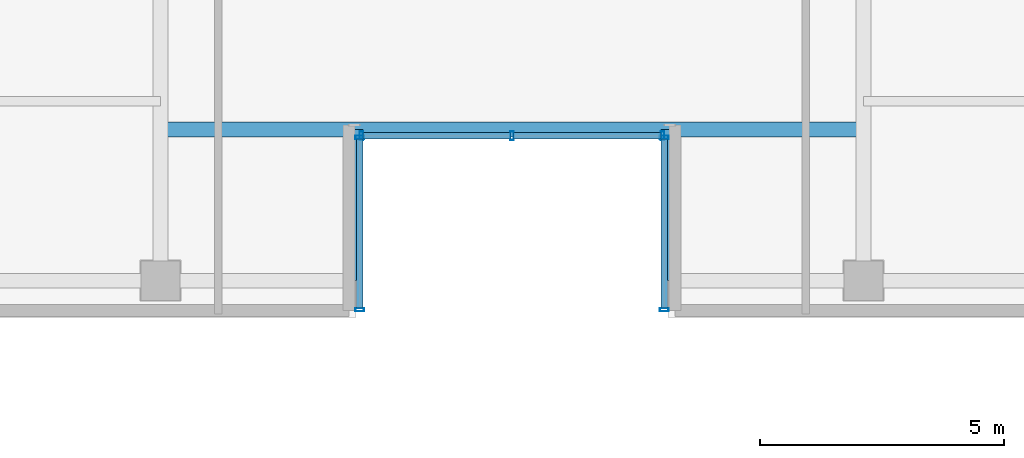
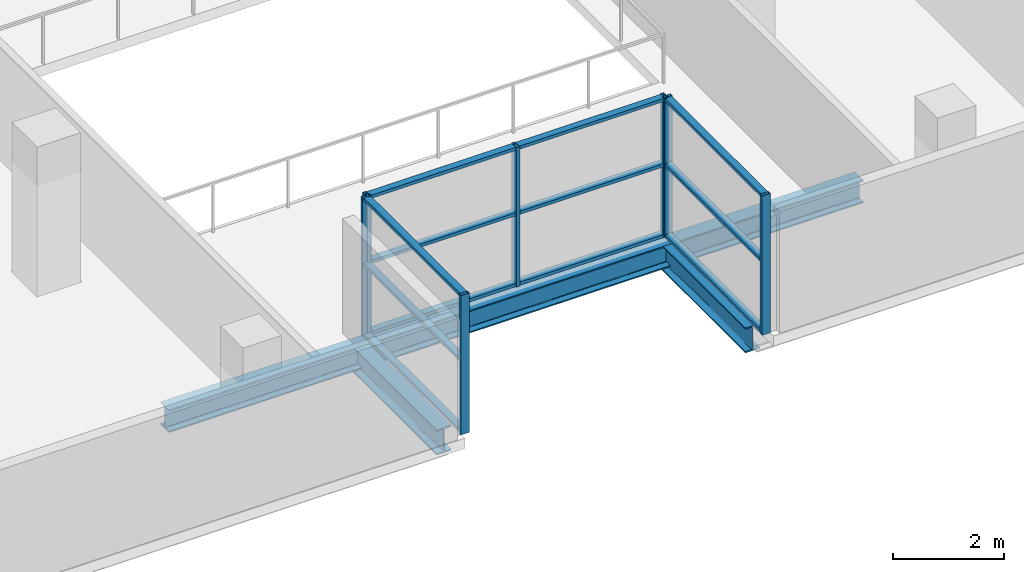
# One storey, part 3 of 23: 19 members, 3 beams, 3 elements without a shape of their own.
"""IFC4 building model written with IfcOpenShell, lengths in metres."""

import ifcopenshell
import ifcopenshell.guid

model = None  # the IFC model being written
_history = None  # IfcOwnerHistory: only IFC2X3 demands one
_inside = {}  # id of a spatial element -> (the spatial element, [elements in it])
_under = {}  # id of a project, library or spatial element -> (it, [spatial elements below it])
_declared = {}  # id of a project -> (the project, [libraries it declares])
_typed = {}  # id of a type object -> (the type object, [elements of that type])
_made_of = {}  # id of a material, layer set ... -> (it, [elements and type objects made of it])


def new_model(schema):
    """Start an empty IFC model of exactly this schema.

    Asked for "IFC4X3", IfcOpenShell would pick the latest addendum, in which some entities
    have other attributes; the version numbers below select the first issue.
    IFC2X3 requires an IfcOwnerHistory on every rooted entity: one is made here for all.
    """
    global model, _history
    if schema == "IFC4X3":
        model = ifcopenshell.file(schema_version=(4, 3, 0, 0))
    else:
        model = ifcopenshell.file(schema=schema)
    _inside.clear()
    _under.clear()
    _declared.clear()
    _typed.clear()
    _made_of.clear()
    _history = None
    if model.schema == "IFC2X3":
        org = make("IfcOrganization", Name="unknown")
        user = make(
            "IfcPersonAndOrganization",
            ThePerson=make("IfcPerson", FamilyName="unknown"),
            TheOrganization=org,
        )
        app = make(
            "IfcApplication",
            ApplicationDeveloper=org,
            Version="unknown",
            ApplicationFullName="unknown",
            ApplicationIdentifier="unknown",
        )
        _history = make(
            "IfcOwnerHistory",
            OwningUser=user,
            OwningApplication=app,
            ChangeAction="ADDED",
            CreationDate=0,
        )
    return model


def make(cls, **values):
    """One entity of the class cls with the attributes given. An attribute that is None is left unset."""
    return model.create_entity(
        cls, **{name: value for name, value in values.items() if value is not None}
    )


def rooted(cls, **values):
    """An entity with a GlobalId (a new one), such as an element, a storey or a relation."""
    return make(cls, GlobalId=ifcopenshell.guid.new(), OwnerHistory=_history, **values)


def si_unit(unit_type, name, prefix=None):
    """IfcSIUnit, for example si_unit("LENGTHUNIT", "METRE", prefix="MILLI")."""
    return make("IfcSIUnit", UnitType=unit_type, Prefix=prefix, Name=name)


def assignment(units):
    """IfcUnitAssignment: the units of a project."""
    return None if units is None else make("IfcUnitAssignment", Units=units)


def point(xyz):
    """IfcCartesianPoint."""
    return None if xyz is None else make("IfcCartesianPoint", Coordinates=xyz)


def direction(xyz):
    """IfcDirection."""
    return None if xyz is None else make("IfcDirection", DirectionRatios=xyz)


def frame(location, z_axis=None, x_axis=None):
    """IfcAxis2Placement3D, a coordinate frame: its origin and axes. An axis left out is left unset."""
    return make(
        "IfcAxis2Placement3D",
        Location=point(location),
        Axis=direction(z_axis),
        RefDirection=direction(x_axis),
    )


def frame_2d(location, x_axis=None):
    """IfcAxis2Placement2D, a coordinate frame in the plane: its origin and x axis."""
    return make(
        "IfcAxis2Placement2D", Location=point(location), RefDirection=direction(x_axis)
    )


def origin():
    """The frame at (0, 0, 0) with its axes left unset."""
    return frame((0.0, 0.0, 0.0))


def origin_2d():
    """The frame at (0, 0) in the plane with its x axis left unset."""
    return frame_2d((0.0, 0.0))


def place(relative_to, where):
    """IfcLocalPlacement: puts the frame where relative to a parent placement (None: the world)."""
    return make(
        "IfcLocalPlacement", PlacementRelTo=relative_to, RelativePlacement=where
    )


def context(
    kind, dimensions, precision=None, world=None, true_north=None, identifier=None
):
    """IfcGeometricRepresentationContext, for example the 3D "Model" context."""
    return make(
        "IfcGeometricRepresentationContext",
        ContextIdentifier=identifier,
        ContextType=kind,
        CoordinateSpaceDimension=dimensions,
        Precision=precision,
        WorldCoordinateSystem=world,
        TrueNorth=true_north,
    )


def subcontext(parent, identifier, kind, view, scale=None):
    """IfcGeometricRepresentationSubContext, for example "Body" below "Model"."""
    return make(
        "IfcGeometricRepresentationSubContext",
        ContextIdentifier=identifier,
        ContextType=kind,
        ParentContext=parent,
        TargetScale=scale,
        TargetView=view,
    )


def project(units=None, contexts=None):
    """IfcProject with its units and contexts."""
    return rooted(
        "IfcProject",
        Name="project",
        RepresentationContexts=contexts,
        UnitsInContext=assignment(units),
    )


def spatial(cls, under=None, at=None, **own):
    """A site, building, storey or space (cls), placed at a placement, below another one or the project."""
    s = rooted(cls, ObjectPlacement=at, **own)
    if under is not None:
        _under.setdefault(under.id(), (under, []))[1].append(s)
    return s


def profile(cls, at=None, kind="AREA", **sizes):
    """A parametric profile (cls). Its sizes go by their IFC names, for example OverallWidth=200.0."""
    return make(cls, ProfileType=kind, Position=at, **sizes)


def hollow_rectangle(**sizes):
    """IfcRectangleHollowProfileDef."""
    return profile("IfcRectangleHollowProfileDef", **sizes)


def i_section(**sizes):
    """IfcIShapeProfileDef."""
    return profile("IfcIShapeProfileDef", **sizes)


def extrude(swept, where, along, depth):
    """IfcExtrudedAreaSolid: the profile swept, set in the frame where, extruded along a direction by depth."""
    return make(
        "IfcExtrudedAreaSolid",
        SweptArea=swept,
        Position=where,
        ExtrudedDirection=direction(along),
        Depth=depth,
    )


def shape(context_of_items, identifier, shape_type, items):
    """IfcShapeRepresentation: the items that make up one representation, for example the "Body"."""
    return make(
        "IfcShapeRepresentation",
        ContextOfItems=context_of_items,
        RepresentationIdentifier=identifier,
        RepresentationType=shape_type,
        Items=items,
    )


def source(mapping_origin, context_of_items, identifier, shape_type, items):
    """IfcRepresentationMap: a shape defined once, which mapped items show again and again."""
    return make(
        "IfcRepresentationMap",
        MappingOrigin=mapping_origin,
        MappedRepresentation=shape(context_of_items, identifier, shape_type, items),
    )


def transform(
    local_origin,
    x_axis=None,
    y_axis=None,
    z_axis=None,
    scale=None,
    scale2=None,
    scale3=None,
    uniform=True,
):
    """IfcCartesianTransformationOperator3D, or its non-uniform kind. x_axis, y_axis, z_axis: its Axis1, 2, 3."""
    if uniform:
        return make(
            "IfcCartesianTransformationOperator3D",
            Axis1=direction(x_axis),
            Axis2=direction(y_axis),
            LocalOrigin=point(local_origin),
            Scale=scale,
            Axis3=direction(z_axis),
        )
    return make(
        "IfcCartesianTransformationOperator3DnonUniform",
        Axis1=direction(x_axis),
        Axis2=direction(y_axis),
        LocalOrigin=point(local_origin),
        Scale=scale,
        Axis3=direction(z_axis),
        Scale2=scale2,
        Scale3=scale3,
    )


def mapped(mapping_source, mapping_target):
    """IfcMappedItem: shows the shape of a source again, moved by a transform."""
    return make(
        "IfcMappedItem", MappingSource=mapping_source, MappingTarget=mapping_target
    )


def material(Name=None, Category=None):
    """IfcMaterial."""
    return make("IfcMaterial", Name=Name, Category=Category)


def layer(
    of_material, thickness, ventilated=None, Name=None, Category=None, Priority=None
):
    """IfcMaterialLayer: one layer of a wall or slab, of a material (None: an air gap)."""
    return make(
        "IfcMaterialLayer",
        Material=of_material,
        LayerThickness=thickness,
        IsVentilated=ventilated,
        Name=Name,
        Category=Category,
        Priority=Priority,
    )


def layer_set(layers, Name=None):
    """IfcMaterialLayerSet."""
    return make("IfcMaterialLayerSet", MaterialLayers=layers, LayerSetName=Name)


def material_profile(
    of_material, cross_section, Name=None, Category=None, Priority=None
):
    """IfcMaterialProfile: a cross section and its material."""
    return make(
        "IfcMaterialProfile",
        Name=Name,
        Material=of_material,
        Profile=cross_section,
        Priority=Priority,
        Category=Category,
    )


def profile_set(profiles, Name=None, composite=None):
    """IfcMaterialProfileSet."""
    return make(
        "IfcMaterialProfileSet",
        Name=Name,
        MaterialProfiles=profiles,
        CompositeProfile=composite,
    )


def made_of(thing, what):
    """Note that an element or type object is made of a material, layer set ...; save() writes the relation."""
    if what is not None:
        _made_of.setdefault(what.id(), (what, []))[1].append(thing)
    return thing


def type_object(cls, material=None, **own):
    """A type object (cls), such as IfcWallType, which elements share."""
    return made_of(rooted(cls, **own), material)


def element(
    cls,
    number,
    at=None,
    inside=None,
    cuts=None,
    type_object=None,
    material=None,
    context=None,
    identifier="Body",
    shape_type=None,
    held_by="IfcProductDefinitionShape",
    body=None,
    shapes=None,
    **own,
):
    """One element of the class cls, such as IfcWall. Its Tag is "e" and its number.

    at: its placement. inside: the storey or other place that contains it. cuts: it is an
    opening in that element (IfcRelVoidsElement). A single representation is given by context,
    identifier, shape_type and body (its items); several are given by shapes. held_by: the class
    of the entity that holds the representations. save() writes the other relations.
    """
    e = rooted(cls, Tag="e%d" % number, ObjectPlacement=at, **own)
    if body is not None:
        shapes = [shape(context, identifier, shape_type, body)]
    if shapes is not None:
        e.Representation = make(held_by, Representations=shapes)
    if inside is not None:
        _inside.setdefault(inside.id(), (inside, []))[1].append(e)
    if cuts is not None:
        rooted(
            "IfcRelVoidsElement", RelatingBuildingElement=cuts, RelatedOpeningElement=e
        )
    if type_object is not None:
        _typed.setdefault(type_object.id(), (type_object, []))[1].append(e)
    return made_of(e, material)


def aggregate(whole, parts):
    """IfcRelAggregates: a whole, such as a stair, and the parts it consists of."""
    return rooted("IfcRelAggregates", RelatingObject=whole, RelatedObjects=parts)


def save(model, path):
    """Write the relations noted so far, then the file.

    IfcRelAggregates (storeys below a building ...), IfcRelContainedInSpatialStructure (elements
    in a storey), IfcRelDefinesByType, IfcRelAssociatesMaterial and IfcRelDeclares: one each for
    every whole, place, type object, material and project.
    """
    for whole, parts in _under.values():
        aggregate(whole, parts)
    for where, things in _inside.values():
        rooted(
            "IfcRelContainedInSpatialStructure",
            RelatedElements=things,
            RelatingStructure=where,
        )
    for kind, things in _typed.values():
        rooted("IfcRelDefinesByType", RelatedObjects=things, RelatingType=kind)
    for what, things in _made_of.values():
        rooted("IfcRelAssociatesMaterial", RelatedObjects=things, RelatingMaterial=what)
    for by, libraries in _declared.values():
        rooted("IfcRelDeclares", RelatingContext=by, RelatedDefinitions=libraries)
    model.write(path)


model = new_model("IFC4")

# Units and contexts
model_context = context("Model", 3, precision=1e-05, world=origin(), true_north=direction((0.0, 1.0)))
body_context = subcontext(model_context, "Body", "Model", "MODEL_VIEW")
ifc_project = project(units=[si_unit("LENGTHUNIT", "METRE"), si_unit("AREAUNIT", "SQUARE_METRE"), si_unit("VOLUMEUNIT", "CUBIC_METRE"), si_unit("PLANEANGLEUNIT", "RADIAN"), si_unit("MASSUNIT", "GRAM", prefix="KILO")], contexts=[model_context])

# Site, building, storey
site_placement = place(None, origin())
site = spatial("IfcSite", under=ifc_project, at=site_placement, CompositionType="ELEMENT")
building_placement = place(site_placement, origin())
building = spatial("IfcBuilding", under=site, at=building_placement, Name="Zarnakvel Exchange Tower", CompositionType="ELEMENT")
storey_placement = place(building_placement, frame((0.0, 0.0, 129.699951171875)))
storey = spatial("IfcBuildingStorey", under=building, at=storey_placement, Name="L36", CompositionType="ELEMENT", Elevation=129.699951171875)

# Beams
ifc_material_1 = material(Name="Steel S355", Category="steel")
ifc_material_profile_1 = material_profile(ifc_material_1, i_section(OverallWidth=0.300048828125, OverallDepth=0.550048828125, WebThickness=0.014892578125, FlangeThickness=0.029052734375, FilletRadius=0.027099609375, at=origin_2d()))
ifc_profile_set_1 = profile_set([ifc_material_profile_1], Name="Steel S355")
beam_type_1 = type_object("IfcBeamType", Name="G-05", PredefinedType="BEAM", material=ifc_profile_set_1)
for number, where, z_axis, x_axis, name in (
    (1, (-3.199951171875, -16.949951171875, -0.5), (0.0, 1.0, 0.0), (-1.0, 0.0, 0.0), "L36 South Slot West Cheek Beam"),
    (2, (3.199951171875, -16.949951171875, -0.5), (0.0, 1.0, 0.0), (-1.0, 0.0, 0.0), "L36 South Slot East Cheek Beam"),
):
    element("IfcBeam", number, at=place(storey_placement, frame(where, z_axis=z_axis, x_axis=x_axis)), inside=storey, type_object=beam_type_1, Name=name, PredefinedType="BEAM", context=body_context, shape_type="SweptSolid", body=[
        extrude(i_section(OverallWidth=0.300048828125, OverallDepth=0.550048828125, WebThickness=0.014892578125, FlangeThickness=0.029052734375, FilletRadius=0.027099609375, at=origin_2d()), origin(), (0.0, 0.0, 1.0), 3.099853515625),
    ])
ifc_material_profile_2 = material_profile(ifc_material_1, i_section(OverallWidth=0.300048828125, OverallDepth=0.5, WebThickness=0.014404296875, FlangeThickness=0.028076171875, FilletRadius=0.027099609375, at=origin_2d()))
ifc_profile_set_2 = profile_set([ifc_material_profile_2], Name="Steel S355")
beam_type_2 = type_object("IfcBeamType", Name="SP-02", PredefinedType="SPANDREL", material=ifc_profile_set_2)
beam_placement = place(storey_placement, frame((-7.199951171875, -13.85009765625, -0.474853515625), z_axis=(1.0, 0.0, 0.0), x_axis=(0.0, 1.0, 0.0)))
element("IfcBeam", 3, at=beam_placement, inside=storey, type_object=beam_type_2, Name="L36 South Slot Head Trimmer Girder", PredefinedType="SPANDREL", context=body_context, shape_type="SweptSolid", body=[
    extrude(i_section(OverallWidth=0.300048828125, OverallDepth=0.5, WebThickness=0.014404296875, FlangeThickness=0.028076171875, FilletRadius=0.027099609375, at=origin_2d()), origin(), (0.0, 0.0, 1.0), 14.39990234375),
])

# Curtain wall, members
ifc_material_2 = material(Name="Architectural Bronze Anodised Aluminium", Category="aluminium")
ifc_layer = layer(ifc_material_2, 0.179931640625)
ifc_layer_set = layer_set([ifc_layer], Name="Architectural Bronze Anodised Aluminium")
curtain_wall_type = type_object("IfcCurtainWallType", Name="CW-05", PredefinedType="NOTDEFINED", material=ifc_layer_set)
curtain_wall_1_placement = place(storey_placement, origin())
curtain_wall_1 = element("IfcCurtainWall", 4, at=curtain_wall_1_placement, inside=storey, type_object=curtain_wall_type, Name="L36 Curtain Wall CW-L36-SLW (CW-05)", PredefinedType="NOTDEFINED")
ifc_material_profile_3 = material_profile(ifc_material_2, hollow_rectangle(XDim=0.139892578125, YDim=0.070068359375, WallThickness=0.00390625, at=origin_2d()))
ifc_profile_set_3 = profile_set([ifc_material_profile_3], Name="Architectural Bronze Anodised Aluminium")
member_type_1 = type_object("IfcMemberType", Name="CWT-05", PredefinedType="USERDEFINED", material=ifc_profile_set_3)
shared_shape_1 = source(origin(), body_context, "Body", "SweptSolid", [
    extrude(hollow_rectangle(XDim=0.139892578125, YDim=0.070068359375, WallThickness=0.00390625, at=origin_2d()), origin(), (0.0, 0.0, 1.0), 3.4599609375),
])
member_1_placement = place(storey_placement, frame((-3.1201171875, -17.510009765625, 0.03515625), z_axis=(0.0, 1.0, 0.0), x_axis=(-1.0, 0.0, 0.0)))
member_1 = element("IfcMember", 5, at=member_1_placement, type_object=member_type_1, Name="CW-05 transom 1.1", ObjectType="TRANSOM", PredefinedType="USERDEFINED", context=body_context, shape_type="MappedRepresentation", body=[
    mapped(shared_shape_1, transform((0.0, 0.0, 0.0), x_axis=(1.0, 0.0, 0.0), y_axis=(0.0, 1.0, 0.0), z_axis=(0.0, 0.0, 1.0), scale=1.0)),
])
member_2_placement = place(storey_placement, frame((-3.1201171875, -17.510009765625, 1.588623046875), z_axis=(0.0, 1.0, 0.0), x_axis=(-1.0, 0.0, 0.0)))
member_2 = element("IfcMember", 6, at=member_2_placement, type_object=member_type_1, Name="CW-05 transom 1.2", ObjectType="TRANSOM", PredefinedType="USERDEFINED", context=body_context, shape_type="MappedRepresentation", body=[
    mapped(shared_shape_1, transform((0.0, 0.0, 0.0), x_axis=(1.0, 0.0, 0.0), y_axis=(0.0, 1.0, 0.0), z_axis=(0.0, 0.0, 1.0), scale=1.0)),
])
member_3_placement = place(storey_placement, frame((-3.1201171875, -17.510009765625, 3.02001953125), z_axis=(0.0, 1.0, 0.0), x_axis=(-1.0, 0.0, 0.0)))
member_3 = element("IfcMember", 7, at=member_3_placement, type_object=member_type_1, Name="CW-05 transom 1.3", ObjectType="TRANSOM", PredefinedType="USERDEFINED", context=body_context, shape_type="MappedRepresentation", body=[
    mapped(shared_shape_1, transform((0.0, 0.0, 0.0), x_axis=(1.0, 0.0, 0.0), y_axis=(0.0, 1.0, 0.0), z_axis=(0.0, 0.0, 1.0), scale=1.0)),
])

curtain_wall_2_placement = place(storey_placement, origin())
curtain_wall_2 = element("IfcCurtainWall", 8, at=curtain_wall_2_placement, inside=storey, type_object=curtain_wall_type, Name="L36 Curtain Wall CW-L36-SLE (CW-05)", PredefinedType="NOTDEFINED")
member_4_placement = place(storey_placement, frame((3.1201171875, -14.050048828125, 0.03515625), z_axis=(0.0, -1.0, 0.0), x_axis=(1.0, 0.0, 0.0)))
member_4 = element("IfcMember", 9, at=member_4_placement, type_object=member_type_1, Name="CW-05 transom 1.1", ObjectType="TRANSOM", PredefinedType="USERDEFINED", context=body_context, shape_type="MappedRepresentation", body=[
    mapped(shared_shape_1, transform((0.0, 0.0, 0.0), x_axis=(1.0, 0.0, 0.0), y_axis=(0.0, 1.0, 0.0), z_axis=(0.0, 0.0, 1.0), scale=1.0)),
])
member_5_placement = place(storey_placement, frame((3.1201171875, -14.050048828125, 1.588623046875), z_axis=(0.0, -1.0, 0.0), x_axis=(1.0, 0.0, 0.0)))
member_5 = element("IfcMember", 10, at=member_5_placement, type_object=member_type_1, Name="CW-05 transom 1.2", ObjectType="TRANSOM", PredefinedType="USERDEFINED", context=body_context, shape_type="MappedRepresentation", body=[
    mapped(shared_shape_1, transform((0.0, 0.0, 0.0), x_axis=(1.0, 0.0, 0.0), y_axis=(0.0, 1.0, 0.0), z_axis=(0.0, 0.0, 1.0), scale=1.0)),
])
member_6_placement = place(storey_placement, frame((3.1201171875, -14.050048828125, 3.02001953125), z_axis=(0.0, -1.0, 0.0), x_axis=(1.0, 0.0, 0.0)))
member_6 = element("IfcMember", 11, at=member_6_placement, type_object=member_type_1, Name="CW-05 transom 1.3", ObjectType="TRANSOM", PredefinedType="USERDEFINED", context=body_context, shape_type="MappedRepresentation", body=[
    mapped(shared_shape_1, transform((0.0, 0.0, 0.0), x_axis=(1.0, 0.0, 0.0), y_axis=(0.0, 1.0, 0.0), z_axis=(0.0, 0.0, 1.0), scale=1.0)),
])

curtain_wall_3_placement = place(storey_placement, origin())
curtain_wall_3 = element("IfcCurtainWall", 12, at=curtain_wall_3_placement, inside=storey, type_object=curtain_wall_type, Name="L36 Curtain Wall CW-L36-SLB (CW-05)", PredefinedType="NOTDEFINED")
shared_shape_2 = source(origin(), body_context, "Body", "SweptSolid", [
    extrude(hollow_rectangle(XDim=0.139892578125, YDim=0.070068359375, WallThickness=0.00390625, at=origin_2d()), origin(), (0.0, 0.0, 1.0), 3.01513671875),
])
member_7_placement = place(storey_placement, frame((-3.050048828125, -13.97998046875, 0.03515625), z_axis=(1.0, 0.0, 0.0), x_axis=(0.0, 1.0, 0.0)))
member_7 = element("IfcMember", 13, at=member_7_placement, type_object=member_type_1, Name="CW-05 transom 1.1", ObjectType="TRANSOM", PredefinedType="USERDEFINED", context=body_context, shape_type="MappedRepresentation", body=[
    mapped(shared_shape_2, transform((0.0, 0.0, 0.0), x_axis=(1.0, 0.0, 0.0), y_axis=(0.0, 1.0, 0.0), z_axis=(0.0, 0.0, 1.0), scale=1.0)),
])
member_8_placement = place(storey_placement, frame((-3.050048828125, -13.97998046875, 1.588623046875), z_axis=(1.0, 0.0, 0.0), x_axis=(0.0, 1.0, 0.0)))
member_8 = element("IfcMember", 14, at=member_8_placement, type_object=member_type_1, Name="CW-05 transom 1.2", ObjectType="TRANSOM", PredefinedType="USERDEFINED", context=body_context, shape_type="MappedRepresentation", body=[
    mapped(shared_shape_2, transform((0.0, 0.0, 0.0), x_axis=(1.0, 0.0, 0.0), y_axis=(0.0, 1.0, 0.0), z_axis=(0.0, 0.0, 1.0), scale=1.0)),
])
member_9_placement = place(storey_placement, frame((-3.050048828125, -13.97998046875, 3.02001953125), z_axis=(1.0, 0.0, 0.0), x_axis=(0.0, 1.0, 0.0)))
member_9 = element("IfcMember", 15, at=member_9_placement, type_object=member_type_1, Name="CW-05 transom 1.3", ObjectType="TRANSOM", PredefinedType="USERDEFINED", context=body_context, shape_type="MappedRepresentation", body=[
    mapped(shared_shape_2, transform((0.0, 0.0, 0.0), x_axis=(1.0, 0.0, 0.0), y_axis=(0.0, 1.0, 0.0), z_axis=(0.0, 0.0, 1.0), scale=1.0)),
])
member_10_placement = place(storey_placement, frame((0.034912109375, -13.97998046875, 0.03515625), z_axis=(1.0, 0.0, 0.0), x_axis=(0.0, 1.0, 0.0)))
member_10 = element("IfcMember", 16, at=member_10_placement, type_object=member_type_1, Name="CW-05 transom 2.1", ObjectType="TRANSOM", PredefinedType="USERDEFINED", context=body_context, shape_type="MappedRepresentation", body=[
    mapped(shared_shape_2, transform((0.0, 0.0, 0.0), x_axis=(1.0, 0.0, 0.0), y_axis=(0.0, 1.0, 0.0), z_axis=(0.0, 0.0, 1.0), scale=1.0)),
])
member_11_placement = place(storey_placement, frame((0.034912109375, -13.97998046875, 1.588623046875), z_axis=(1.0, 0.0, 0.0), x_axis=(0.0, 1.0, 0.0)))
member_11 = element("IfcMember", 17, at=member_11_placement, type_object=member_type_1, Name="CW-05 transom 2.2", ObjectType="TRANSOM", PredefinedType="USERDEFINED", context=body_context, shape_type="MappedRepresentation", body=[
    mapped(shared_shape_2, transform((0.0, 0.0, 0.0), x_axis=(1.0, 0.0, 0.0), y_axis=(0.0, 1.0, 0.0), z_axis=(0.0, 0.0, 1.0), scale=1.0)),
])
member_12_placement = place(storey_placement, frame((0.034912109375, -13.97998046875, 3.02001953125), z_axis=(1.0, 0.0, 0.0), x_axis=(0.0, 1.0, 0.0)))
member_12 = element("IfcMember", 18, at=member_12_placement, type_object=member_type_1, Name="CW-05 transom 2.3", ObjectType="TRANSOM", PredefinedType="USERDEFINED", context=body_context, shape_type="MappedRepresentation", body=[
    mapped(shared_shape_2, transform((0.0, 0.0, 0.0), x_axis=(1.0, 0.0, 0.0), y_axis=(0.0, 1.0, 0.0), z_axis=(0.0, 0.0, 1.0), scale=1.0)),
])

# Member
ifc_material_profile_4 = material_profile(ifc_material_2, hollow_rectangle(XDim=0.179931640625, YDim=0.070068359375, WallThickness=0.00390625, at=origin_2d()))
ifc_profile_set_4 = profile_set([ifc_material_profile_4], Name="Architectural Bronze Anodised Aluminium")
member_type_2 = type_object("IfcMemberType", Name="CWM-05", PredefinedType="MULLION", material=ifc_profile_set_4)
shared_shape_3 = source(origin(), body_context, "Body", "SweptSolid", [
    extrude(hollow_rectangle(XDim=0.179931640625, YDim=0.070068359375, WallThickness=0.00390625, at=origin_2d()), origin(), (0.0, 0.0, 1.0), 3.054931640625),
])
member_13_placement = place(storey_placement, frame((-3.1201171875, -17.544921875, 0.0), z_axis=(0.0, 0.0, 1.0), x_axis=(-1.0, 0.0, 0.0)))
member_13 = element("IfcMember", 19, at=member_13_placement, type_object=member_type_2, Name="CW-05 mullion 1", PredefinedType="MULLION", context=body_context, shape_type="MappedRepresentation", body=[
    mapped(shared_shape_3, transform((0.0, 0.0, 0.0), x_axis=(1.0, 0.0, 0.0), y_axis=(0.0, 1.0, 0.0), z_axis=(0.0, 0.0, 1.0), scale=1.0)),
])

member_14_placement = place(storey_placement, frame((-3.1201171875, -14.014892578125, 0.0), z_axis=(0.0, 0.0, 1.0), x_axis=(-1.0, 0.0, 0.0)))
member_14 = element("IfcMember", 20, at=member_14_placement, type_object=member_type_2, Name="CW-05 mullion 2", PredefinedType="MULLION", context=body_context, shape_type="MappedRepresentation", body=[
    mapped(shared_shape_3, transform((0.0, 0.0, 0.0), x_axis=(1.0, 0.0, 0.0), y_axis=(0.0, 1.0, 0.0), z_axis=(0.0, 0.0, 1.0), scale=1.0)),
])

aggregate(curtain_wall_1, [member_13, member_14, member_1, member_2, member_3])

member_15_placement = place(storey_placement, frame((-3.0849609375, -13.97998046875, 0.0), z_axis=(0.0, 0.0, 1.0), x_axis=(0.0, 1.0, 0.0)))
member_15 = element("IfcMember", 21, at=member_15_placement, type_object=member_type_2, Name="CW-05 mullion 1", PredefinedType="MULLION", context=body_context, shape_type="MappedRepresentation", body=[
    mapped(shared_shape_3, transform((0.0, 0.0, 0.0), x_axis=(1.0, 0.0, 0.0), y_axis=(0.0, 1.0, 0.0), z_axis=(0.0, 0.0, 1.0), scale=1.0)),
])

member_16_placement = place(storey_placement, frame((0.0, -13.97998046875, 0.0), z_axis=(0.0, 0.0, 1.0), x_axis=(0.0, 1.0, 0.0)))
member_16 = element("IfcMember", 22, at=member_16_placement, type_object=member_type_2, Name="CW-05 mullion 2", PredefinedType="MULLION", context=body_context, shape_type="MappedRepresentation", body=[
    mapped(shared_shape_3, transform((0.0, 0.0, 0.0), x_axis=(1.0, 0.0, 0.0), y_axis=(0.0, 1.0, 0.0), z_axis=(0.0, 0.0, 1.0), scale=1.0)),
])

member_17_placement = place(storey_placement, frame((3.0849609375, -13.97998046875, 0.0), z_axis=(0.0, 0.0, 1.0), x_axis=(0.0, 1.0, 0.0)))
member_17 = element("IfcMember", 23, at=member_17_placement, type_object=member_type_2, Name="CW-05 mullion 3", PredefinedType="MULLION", context=body_context, shape_type="MappedRepresentation", body=[
    mapped(shared_shape_3, transform((0.0, 0.0, 0.0), x_axis=(1.0, 0.0, 0.0), y_axis=(0.0, 1.0, 0.0), z_axis=(0.0, 0.0, 1.0), scale=1.0)),
])

aggregate(curtain_wall_3, [member_15, member_16, member_17, member_7, member_8, member_9, member_10, member_11, member_12])

member_18_placement = place(storey_placement, frame((3.1201171875, -14.014892578125, 0.0), z_axis=(0.0, 0.0, 1.0), x_axis=(1.0, 0.0, 0.0)))
member_18 = element("IfcMember", 24, at=member_18_placement, type_object=member_type_2, Name="CW-05 mullion 1", PredefinedType="MULLION", context=body_context, shape_type="MappedRepresentation", body=[
    mapped(shared_shape_3, transform((0.0, 0.0, 0.0), x_axis=(1.0, 0.0, 0.0), y_axis=(0.0, 1.0, 0.0), z_axis=(0.0, 0.0, 1.0), scale=1.0)),
])

member_19_placement = place(storey_placement, frame((3.1201171875, -17.544921875, 0.0), z_axis=(0.0, 0.0, 1.0), x_axis=(1.0, 0.0, 0.0)))
member_19 = element("IfcMember", 25, at=member_19_placement, type_object=member_type_2, Name="CW-05 mullion 2", PredefinedType="MULLION", context=body_context, shape_type="MappedRepresentation", body=[
    mapped(shared_shape_3, transform((0.0, 0.0, 0.0), x_axis=(1.0, 0.0, 0.0), y_axis=(0.0, 1.0, 0.0), z_axis=(0.0, 0.0, 1.0), scale=1.0)),
])

aggregate(curtain_wall_2, [member_18, member_19, member_4, member_5, member_6])

save(model, "model.ifc")
